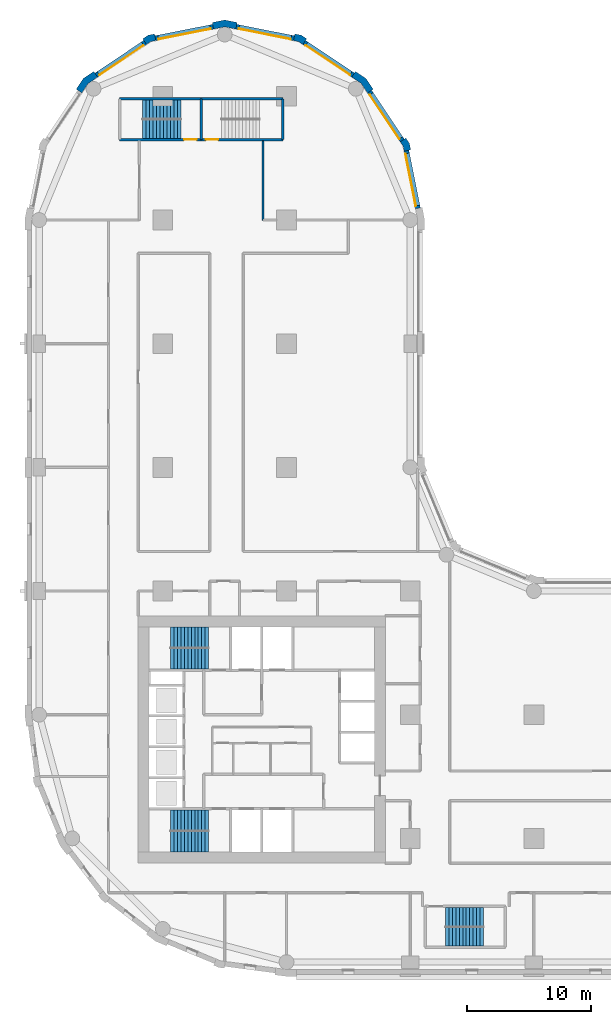
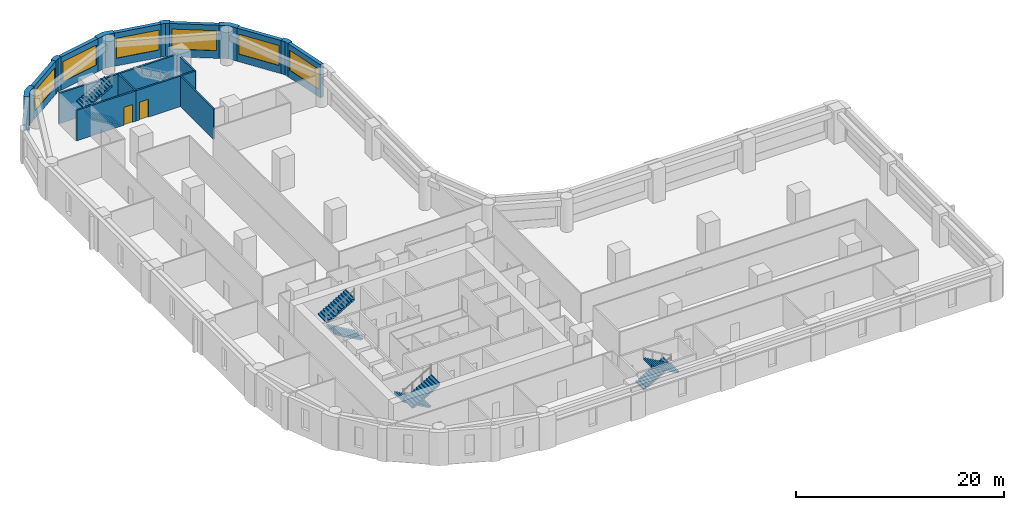
# One storey, part 7 of 10: 19 walls, 8 stair flights, 6 windows, 2 doors, 8 openings, 4 elements without a shape of their own.
"""IFC4 building model written with IfcOpenShell, lengths in metres."""

from ifc_helpers import new_model, si_unit, direction, frame, frame_2d, origin, place, context, subcontext, project, spatial, polyline, rectangle, outline, extrude, material, layer, layer_set, type_object, element, fill, aggregate, save


model = new_model("IFC4")

# Units and contexts
model_context = context("Model", 3, precision=1e-05, world=origin(), true_north=direction((0.0, 1.0)))
body_context = subcontext(model_context, "Body", "Model", "MODEL_VIEW")
ifc_project = project(units=[si_unit("LENGTHUNIT", "METRE"), si_unit("AREAUNIT", "SQUARE_METRE"), si_unit("VOLUMEUNIT", "CUBIC_METRE"), si_unit("PLANEANGLEUNIT", "RADIAN"), si_unit("MASSUNIT", "GRAM", prefix="KILO")], contexts=[model_context])

# Site, building, storey
site_placement = place(None, origin())
site = spatial("IfcSite", under=ifc_project, at=site_placement, CompositionType="ELEMENT")
building_placement = place(site_placement, origin())
building = spatial("IfcBuilding", under=site, at=building_placement, Name="Qaws Garden Tower", CompositionType="ELEMENT")
storey_placement = place(building_placement, frame((0.0, 0.0, 54.89990234375)))
storey = spatial("IfcBuildingStorey", under=building, at=storey_placement, Name="L13", CompositionType="ELEMENT", Elevation=54.89990234375)

# Wall, opening, window
ifc_material_1 = material(Name="Clay facing brick masonry", Category="masonry")
ifc_layer_1 = layer(ifc_material_1, 0.39990234375)
ifc_layer_set_1 = layer_set([ifc_layer_1], Name="Clay facing brick masonry")
wall_type_1 = type_object("IfcWallType", Name="Brick infill wall 400", PredefinedType="SOLIDWALL", material=ifc_layer_set_1)
wall_1_placement = place(storey_placement, frame((30.628662109375, 60.940673828125, 0.0), z_axis=(0.0, 0.0, 1.0), x_axis=(-0.195098533057, 0.98078364709, 0.0)))
wall_1 = element("IfcWall", 1, at=wall_1_placement, inside=storey, type_object=wall_type_1, Name="E-L13-infill-15", PredefinedType="SOLIDWALL", context=body_context, shape_type="SweptSolid", body=[
    extrude(rectangle(XDim=4.752685546875, YDim=0.39990234375, at=frame_2d((2.37646484375, 0.0))), origin(), (0.0, 0.0, 1.0), 3.900146484375),
])
opening_1_placement = place(wall_1_placement, frame((0.226318359375, 0.0, 0.89990234375)))
opening_1 = element("IfcOpeningElement", 2, at=opening_1_placement, cuts=wall_1, Name="Opening W06", PredefinedType="OPENING", context=body_context, shape_type="SweptSolid", body=[
    extrude(rectangle(XDim=4.300048828125, YDim=2.35009765625, at=frame_2d((2.14990234375, 1.175048828125))), frame((0.0, 0.2099609375, 0.0), z_axis=(0.0, -1.0, 0.0), x_axis=(1.0, 0.0, 0.0)), (0.0, 0.0, 1.0), 0.419921875),
])
ifc_material_2 = material(Name="Aluminium framed window, clear glazing", Category="aluminium")
window_type = type_object("IfcWindowType", Name="Ribbon window 4300 x 2350", PartitioningType="DOUBLE_PANEL_VERTICAL", PredefinedType="WINDOW", material=ifc_material_2)
window_1_placement = place(opening_1_placement, origin())
window_1 = element("IfcWindow", 3, at=window_1_placement, inside=storey, type_object=window_type, Name="E-L13-window-15-0", OverallHeight=2.35009765625, OverallWidth=4.300048828125, PartitioningType="SINGLE_PANEL", PredefinedType="WINDOW", context=body_context, shape_type="SweptSolid", body=[
    extrude(rectangle(XDim=4.300048828125, YDim=2.35009765625, at=frame_2d((2.14990234375, 1.175048828125))), frame((0.0, 0.159912109375, 0.0), z_axis=(0.0, -1.0, 0.0), x_axis=(1.0, 0.0, 0.0)), (0.0, 0.0, 1.0), 0.06005859375),
])
fill(opening_1, window_1)

wall_2_placement = place(storey_placement, frame((29.356689453125, 66.43408203125, 0.0), z_axis=(0.0, 0.0, 1.0), x_axis=(-0.555541552266, 0.831488775454, 0.0)))
wall_2 = element("IfcWall", 4, at=wall_2_placement, inside=storey, type_object=wall_type_1, Name="E-L13-infill-16", PredefinedType="SOLIDWALL", context=body_context, shape_type="SweptSolid", body=[
    extrude(rectangle(XDim=4.752685546875, YDim=0.39990234375, at=frame_2d((2.37646484375, 0.0))), origin(), (0.0, 0.0, 1.0), 3.900146484375),
])
opening_2_placement = place(wall_2_placement, frame((0.226318359375, 0.0, 0.89990234375)))
opening_2 = element("IfcOpeningElement", 5, at=opening_2_placement, cuts=wall_2, Name="Opening W06", PredefinedType="OPENING", context=body_context, shape_type="SweptSolid", body=[
    extrude(rectangle(XDim=4.300048828125, YDim=2.35009765625, at=frame_2d((2.14990234375, 1.175048828125))), frame((0.0, 0.2099609375, 0.0), z_axis=(0.0, -1.0, 0.0), x_axis=(1.0, 0.0, 0.0)), (0.0, 0.0, 1.0), 0.419921875),
])
window_2_placement = place(opening_2_placement, origin())
window_2 = element("IfcWindow", 6, at=window_2_placement, inside=storey, type_object=window_type, Name="E-L13-window-16-0", OverallHeight=2.35009765625, OverallWidth=4.300048828125, PartitioningType="SINGLE_PANEL", PredefinedType="WINDOW", context=body_context, shape_type="SweptSolid", body=[
    extrude(rectangle(XDim=4.300048828125, YDim=2.35009765625, at=frame_2d((2.14990234375, 1.175048828125))), frame((0.0, 0.159912109375, 0.0), z_axis=(0.0, -1.0, 0.0), x_axis=(1.0, 0.0, 0.0)), (0.0, 0.0, 1.0), 0.06005859375),
])
fill(opening_2, window_2)

wall_3_placement = place(storey_placement, frame((25.385986328125, 71.71630859375, 0.0), z_axis=(0.0, 0.0, 1.0), x_axis=(-0.831488775454, 0.555541552266, 0.0)))
wall_3 = element("IfcWall", 7, at=wall_3_placement, inside=storey, type_object=wall_type_1, Name="E-L13-infill-17", PredefinedType="SOLIDWALL", context=body_context, shape_type="SweptSolid", body=[
    extrude(rectangle(XDim=4.752685546875, YDim=0.39990234375, at=frame_2d((2.37646484375, 0.0))), origin(), (0.0, 0.0, 1.0), 3.900146484375),
])
opening_3_placement = place(wall_3_placement, frame((0.226318359375, 0.0, 0.89990234375)))
opening_3 = element("IfcOpeningElement", 8, at=opening_3_placement, cuts=wall_3, Name="Opening W06", PredefinedType="OPENING", context=body_context, shape_type="SweptSolid", body=[
    extrude(rectangle(XDim=4.300048828125, YDim=2.35009765625, at=frame_2d((2.14990234375, 1.175048828125))), frame((0.0, 0.2099609375, 0.0), z_axis=(0.0, -1.0, 0.0), x_axis=(1.0, 0.0, 0.0)), (0.0, 0.0, 1.0), 0.419921875),
])
window_3_placement = place(opening_3_placement, origin())
window_3 = element("IfcWindow", 9, at=window_3_placement, inside=storey, type_object=window_type, Name="E-L13-window-17-0", OverallHeight=2.35009765625, OverallWidth=4.300048828125, PartitioningType="SINGLE_PANEL", PredefinedType="WINDOW", context=body_context, shape_type="SweptSolid", body=[
    extrude(rectangle(XDim=4.300048828125, YDim=2.35009765625, at=frame_2d((2.14990234375, 1.175048828125))), frame((0.0, 0.159912109375, 0.0), z_axis=(0.0, -1.0, 0.0), x_axis=(1.0, 0.0, 0.0)), (0.0, 0.0, 1.0), 0.06005859375),
])
fill(opening_3, window_3)

wall_4_placement = place(storey_placement, frame((20.60205078125, 74.701416015625, 0.0), z_axis=(0.0, 0.0, 1.0), x_axis=(-0.98078364709, 0.195098533057, 0.0)))
wall_4 = element("IfcWall", 10, at=wall_4_placement, inside=storey, type_object=wall_type_1, Name="E-L13-infill-18", PredefinedType="SOLIDWALL", context=body_context, shape_type="SweptSolid", body=[
    extrude(rectangle(XDim=4.752685546875, YDim=0.39990234375, at=frame_2d((2.37646484375, 0.0))), origin(), (0.0, 0.0, 1.0), 3.900146484375),
])
opening_4_placement = place(wall_4_placement, frame((0.226318359375, 0.0, 0.89990234375)))
opening_4 = element("IfcOpeningElement", 11, at=opening_4_placement, cuts=wall_4, Name="Opening W06", PredefinedType="OPENING", context=body_context, shape_type="SweptSolid", body=[
    extrude(rectangle(XDim=4.300048828125, YDim=2.35009765625, at=frame_2d((2.14990234375, 1.175048828125))), frame((0.0, 0.2099609375, 0.0), z_axis=(0.0, -1.0, 0.0), x_axis=(1.0, 0.0, 0.0)), (0.0, 0.0, 1.0), 0.419921875),
])
window_4_placement = place(opening_4_placement, origin())
window_4 = element("IfcWindow", 12, at=window_4_placement, inside=storey, type_object=window_type, Name="E-L13-window-18-0", OverallHeight=2.35009765625, OverallWidth=4.300048828125, PartitioningType="SINGLE_PANEL", PredefinedType="WINDOW", context=body_context, shape_type="SweptSolid", body=[
    extrude(rectangle(XDim=4.300048828125, YDim=2.35009765625, at=frame_2d((2.14990234375, 1.175048828125))), frame((0.0, 0.159912109375, 0.0), z_axis=(0.0, -1.0, 0.0), x_axis=(1.0, 0.0, 0.0)), (0.0, 0.0, 1.0), 0.06005859375),
])
fill(opening_4, window_4)

wall_5_placement = place(storey_placement, frame((14.059326171875, 75.628662109375, 0.0), z_axis=(0.0, 0.0, 1.0), x_axis=(-0.98078364709, -0.195098533057, 0.0)))
wall_5 = element("IfcWall", 13, at=wall_5_placement, inside=storey, type_object=wall_type_1, Name="E-L13-infill-19", PredefinedType="SOLIDWALL", context=body_context, shape_type="SweptSolid", body=[
    extrude(rectangle(XDim=4.752685546875, YDim=0.39990234375, at=frame_2d((2.37646484375, 0.0))), origin(), (0.0, 0.0, 1.0), 3.900146484375),
])
opening_5_placement = place(wall_5_placement, frame((0.226318359375, 0.0, 0.89990234375)))
opening_5 = element("IfcOpeningElement", 14, at=opening_5_placement, cuts=wall_5, Name="Opening W06", PredefinedType="OPENING", context=body_context, shape_type="SweptSolid", body=[
    extrude(rectangle(XDim=4.300048828125, YDim=2.35009765625, at=frame_2d((2.14990234375, 1.175048828125))), frame((0.0, 0.2099609375, 0.0), z_axis=(0.0, -1.0, 0.0), x_axis=(1.0, 0.0, 0.0)), (0.0, 0.0, 1.0), 0.419921875),
])
window_5_placement = place(opening_5_placement, origin())
window_5 = element("IfcWindow", 15, at=window_5_placement, inside=storey, type_object=window_type, Name="E-L13-window-19-0", OverallHeight=2.35009765625, OverallWidth=4.300048828125, PartitioningType="SINGLE_PANEL", PredefinedType="WINDOW", context=body_context, shape_type="SweptSolid", body=[
    extrude(rectangle(XDim=4.300048828125, YDim=2.35009765625, at=frame_2d((2.14990234375, 1.175048828125))), frame((0.0, 0.159912109375, 0.0), z_axis=(0.0, -1.0, 0.0), x_axis=(1.0, 0.0, 0.0)), (0.0, 0.0, 1.0), 0.06005859375),
])
fill(opening_5, window_5)

wall_6_placement = place(storey_placement, frame((8.56591796875, 74.356689453125, 0.0), z_axis=(0.0, 0.0, 1.0), x_axis=(-0.831488775454, -0.555541552266, 0.0)))
wall_6 = element("IfcWall", 16, at=wall_6_placement, inside=storey, type_object=wall_type_1, Name="E-L13-infill-20", PredefinedType="SOLIDWALL", context=body_context, shape_type="SweptSolid", body=[
    extrude(rectangle(XDim=4.752685546875, YDim=0.39990234375, at=frame_2d((2.37646484375, 0.0))), origin(), (0.0, 0.0, 1.0), 3.900146484375),
])
opening_6_placement = place(wall_6_placement, frame((0.226318359375, 0.0, 0.89990234375)))
opening_6 = element("IfcOpeningElement", 17, at=opening_6_placement, cuts=wall_6, Name="Opening W06", PredefinedType="OPENING", context=body_context, shape_type="SweptSolid", body=[
    extrude(rectangle(XDim=4.300048828125, YDim=2.35009765625, at=frame_2d((2.14990234375, 1.175048828125))), frame((0.0, 0.2099609375, 0.0), z_axis=(0.0, -1.0, 0.0), x_axis=(1.0, 0.0, 0.0)), (0.0, 0.0, 1.0), 0.419921875),
])
window_6_placement = place(opening_6_placement, origin())
window_6 = element("IfcWindow", 18, at=window_6_placement, inside=storey, type_object=window_type, Name="E-L13-window-20-0", OverallHeight=2.35009765625, OverallWidth=4.300048828125, PartitioningType="SINGLE_PANEL", PredefinedType="WINDOW", context=body_context, shape_type="SweptSolid", body=[
    extrude(rectangle(XDim=4.300048828125, YDim=2.35009765625, at=frame_2d((2.14990234375, 1.175048828125))), frame((0.0, 0.159912109375, 0.0), z_axis=(0.0, -1.0, 0.0), x_axis=(1.0, 0.0, 0.0)), (0.0, 0.0, 1.0), 0.06005859375),
])
fill(opening_6, window_6)

# Walls
ifc_material_3 = material(Name="Clay facing brick masonry", Category="masonry")
ifc_layer_2 = layer(ifc_material_3, 0.550048828125)
ifc_layer_set_2 = layer_set([ifc_layer_2], Name="Clay facing brick masonry")
wall_type_2 = type_object("IfcWallType", Name="Brick kink pier 550 x 600", PredefinedType="SOLIDWALL", material=ifc_layer_set_2)
placement = place(storey_placement, origin())
element("IfcWall", 19, at=placement, inside=storey, type_object=wall_type_2, Name="E-L13-pier-16", PredefinedType="SOLIDWALL", context=body_context, shape_type="SweptSolid", body=[
    extrude(outline(polyline([(29.8974609375, 65.64111328125), (30.044677734375, 65.67041015625), (29.94140625, 66.18896484375), (29.647705078125, 66.628662109375), (29.52294921875, 66.545166015625), (29.1904296875, 66.322998046875), (29.42333984375, 65.974365234375), (29.505126953125, 65.56298828125), (29.8974609375, 65.64111328125)])), origin(), (0.0, 0.0, 1.0), 3.900146484375),
])
element("IfcWall", 20, at=placement, inside=storey, type_object=wall_type_2, Name="E-L13-pier-18", PredefinedType="SOLIDWALL", context=body_context, shape_type="SweptSolid", body=[
    extrude(outline(polyline([(21.545166015625, 74.52294921875), (21.628662109375, 74.647705078125), (21.18896484375, 74.94140625), (20.67041015625, 75.044677734375), (20.64111328125, 74.8974609375), (20.56298828125, 74.505126953125), (20.974365234375, 74.42333984375), (21.322998046875, 74.1904296875), (21.545166015625, 74.52294921875)])), origin(), (0.0, 0.0, 1.0), 3.900146484375),
])
element("IfcWall", 21, at=placement, inside=storey, type_object=wall_type_2, Name="E-L13-pier-20", PredefinedType="SOLIDWALL", context=body_context, shape_type="SweptSolid", body=[
    extrude(outline(polyline([(9.35888671875, 74.8974609375), (9.32958984375, 75.044677734375), (8.81103515625, 74.94140625), (8.371337890625, 74.647705078125), (8.454833984375, 74.52294921875), (8.677001953125, 74.1904296875), (9.025634765625, 74.42333984375), (9.43701171875, 74.505126953125), (9.35888671875, 74.8974609375)])), origin(), (0.0, 0.0, 1.0), 3.900146484375),
])
ifc_material_4 = material(Name="Clay facing brick masonry", Category="masonry")
ifc_layer_3 = layer(ifc_material_4, 0.550048828125)
ifc_layer_set_3 = layer_set([ifc_layer_3], Name="Clay facing brick masonry")
wall_type_3 = type_object("IfcWallType", Name="Brick pier 550 x 1600", PredefinedType="SOLIDWALL", material=ifc_layer_set_3)
element("IfcWall", 22, at=placement, inside=storey, type_object=wall_type_3, Name="E-L13-pier-17", PredefinedType="SOLIDWALL", context=body_context, shape_type="SweptSolid", body=[
    extrude(outline(polyline([(26.882568359375, 70.4970703125), (27.00732421875, 70.580322265625), (26.435791015625, 71.435791015625), (25.580322265625, 72.00732421875), (25.4970703125, 71.882568359375), (25.274658203125, 71.550048828125), (26.0390625, 71.0390625), (26.550048828125, 70.274658203125), (26.882568359375, 70.4970703125)])), origin(), (0.0, 0.0, 1.0), 3.900146484375),
])
element("IfcWall", 23, at=placement, inside=storey, type_object=wall_type_3, Name="E-L13-pier-19", PredefinedType="SOLIDWALL", context=body_context, shape_type="SweptSolid", body=[
    extrude(outline(polyline([(15.979736328125, 75.82470703125), (16.009033203125, 75.971923828125), (15.0, 76.172607421875), (13.990966796875, 75.971923828125), (14.020263671875, 75.82470703125), (14.098388671875, 75.432373046875), (15.0, 75.61181640625), (15.901611328125, 75.432373046875), (15.979736328125, 75.82470703125)])), origin(), (0.0, 0.0, 1.0), 3.900146484375),
])
element("IfcWall", 24, at=placement, inside=storey, type_object=wall_type_3, Name="E-L13-pier-21", PredefinedType="SOLIDWALL", context=body_context, shape_type="SweptSolid", body=[
    extrude(outline(polyline([(4.5029296875, 71.882568359375), (4.419677734375, 72.00732421875), (3.564208984375, 71.435791015625), (2.99267578125, 70.580322265625), (3.117431640625, 70.4970703125), (3.449951171875, 70.274658203125), (3.9609375, 71.0390625), (4.725341796875, 71.550048828125), (4.5029296875, 71.882568359375)])), origin(), (0.0, 0.0, 1.0), 3.900146484375),
])

# Wall, opening, door
ifc_material_5 = material(Name="Concrete C80", Category="concrete")
ifc_layer_4 = layer(ifc_material_5, 0.199951171875)
ifc_layer_set_4 = layer_set([ifc_layer_4], Name="Concrete C80")
wall_type_4 = type_object("IfcWallType", Name="Core shaft wall 200 C80", PredefinedType="SHEAR", material=ifc_layer_set_4)
wall_13_placement = place(storey_placement, frame((6.5, 66.5, 0.0), z_axis=(0.0, 0.0, 1.0), x_axis=(1.0, 0.0, 0.0)))
wall_13 = element("IfcWall", 25, at=wall_13_placement, inside=storey, type_object=wall_type_4, Name="Shaft wall", PredefinedType="SHEAR", context=body_context, shape_type="SweptSolid", body=[
    extrude(rectangle(XDim=6.60009765625, YDim=0.199951171875, at=frame_2d((3.300048828125, 0.0))), origin(), (0.0, 0.0, 1.0), 3.580078125),
])
opening_7_placement = place(wall_13_placement, frame((5.22509765625, 0.0, 0.0)))
opening_7 = element("IfcOpeningElement", 26, at=opening_7_placement, cuts=wall_13, Name="Opening SD13", PredefinedType="OPENING", context=body_context, shape_type="SweptSolid", body=[
    extrude(rectangle(XDim=1.0, YDim=2.10009765625, at=frame_2d((0.5, 1.050048828125))), frame((0.0, 0.10986328125, 0.0), z_axis=(0.0, -1.0, 0.0), x_axis=(1.0, 0.0, 0.0)), (0.0, 0.0, 1.0), 0.219970703125),
])
ifc_material_6 = material(Name="Steel S235", Category="steel")
door_type = type_object("IfcDoorType", Name="Stair door 1000x2100", OperationType="SINGLE_SWING_RIGHT", PredefinedType="DOOR", material=ifc_material_6)
door_1_placement = place(opening_7_placement, origin())
door_1 = element("IfcDoor", 27, at=door_1_placement, inside=storey, type_object=door_type, Name="Stair 6 door", OperationType="SINGLE_SWING_RIGHT", OverallHeight=2.10009765625, OverallWidth=1.0, PredefinedType="DOOR", context=body_context, shape_type="SweptSolid", body=[
    extrude(rectangle(XDim=1.0, YDim=2.10009765625, at=frame_2d((0.5, 1.050048828125))), frame((0.0, 0.02490234375, 0.0), z_axis=(0.0, -1.0, 0.0), x_axis=(1.0, 0.0, 0.0)), (0.0, 0.0, 1.0), 0.050048828125),
])
fill(opening_7, door_1)

wall_14_placement = place(storey_placement, frame((13.10009765625, 66.5, 0.0), z_axis=(0.0, 0.0, 1.0), x_axis=(1.0, 0.0, 0.0)))
wall_14 = element("IfcWall", 28, at=wall_14_placement, inside=storey, type_object=wall_type_4, Name="Shaft wall", PredefinedType="SHEAR", context=body_context, shape_type="SweptSolid", body=[
    extrude(rectangle(XDim=6.599853515625, YDim=0.199951171875, at=frame_2d((3.2998046875, 0.0))), origin(), (0.0, 0.0, 1.0), 3.580078125),
])
opening_8_placement = place(wall_14_placement, frame((0.375, 0.0, 0.0)))
opening_8 = element("IfcOpeningElement", 29, at=opening_8_placement, cuts=wall_14, Name="Opening SD14", PredefinedType="OPENING", context=body_context, shape_type="SweptSolid", body=[
    extrude(rectangle(XDim=1.0, YDim=2.10009765625, at=frame_2d((0.5, 1.050048828125))), frame((0.0, 0.10986328125, 0.0), z_axis=(0.0, -1.0, 0.0), x_axis=(1.0, 0.0, 0.0)), (0.0, 0.0, 1.0), 0.219970703125),
])
door_2_placement = place(opening_8_placement, origin())
door_2 = element("IfcDoor", 30, at=door_2_placement, inside=storey, type_object=door_type, Name="Stair 7 door", OperationType="SINGLE_SWING_LEFT", OverallHeight=2.10009765625, OverallWidth=1.0, PredefinedType="DOOR", context=body_context, shape_type="SweptSolid", body=[
    extrude(rectangle(XDim=1.0, YDim=2.10009765625, at=frame_2d((0.5, 1.050048828125))), frame((0.0, 0.02490234375, 0.0), z_axis=(0.0, -1.0, 0.0), x_axis=(1.0, 0.0, 0.0)), (0.0, 0.0, 1.0), 0.050048828125),
])
fill(opening_8, door_2)

# Walls
wall_15_placement = place(storey_placement, frame((6.5, 69.800048828125, 0.0), z_axis=(0.0, 0.0, 1.0), x_axis=(1.0, 0.0, 0.0)))
element("IfcWall", 31, at=wall_15_placement, inside=storey, type_object=wall_type_4, Name="Shaft wall", PredefinedType="SHEAR", context=body_context, shape_type="SweptSolid", body=[
    extrude(rectangle(XDim=6.60009765625, YDim=0.199951171875, at=frame_2d((3.300048828125, 0.0))), origin(), (0.0, 0.0, 1.0), 3.580078125),
])
wall_16_placement = place(storey_placement, frame((13.10009765625, 69.800048828125, 0.0), z_axis=(0.0, 0.0, 1.0), x_axis=(1.0, 0.0, 0.0)))
element("IfcWall", 32, at=wall_16_placement, inside=storey, type_object=wall_type_4, Name="Shaft wall", PredefinedType="SHEAR", context=body_context, shape_type="SweptSolid", body=[
    extrude(rectangle(XDim=6.599853515625, YDim=0.199951171875, at=frame_2d((3.2998046875, 0.0))), origin(), (0.0, 0.0, 1.0), 3.580078125),
])
for number, where, z_axis, x_axis, name in (
    (33, (13.10009765625, 66.5, 0.0), (0.0, 0.0, 1.0), (0.0, 1.0, 0.0), "Shaft wall"),
    (34, (19.699951171875, 66.5, 0.0), (0.0, 0.0, 1.0), (0.0, 1.0, 0.0), "Shaft wall"),
):
    element("IfcWall", number, at=place(storey_placement, frame(where, z_axis=z_axis, x_axis=x_axis)), inside=storey, type_object=wall_type_4, Name=name, PredefinedType="SHEAR", context=body_context, shape_type="SweptSolid", body=[
        extrude(rectangle(XDim=3.300048828125, YDim=0.199951171875, at=frame_2d((1.64990234375, 0.0))), origin(), (0.0, 0.0, 1.0), 3.580078125),
    ])
ifc_material_7 = material(Name="Gypsum board partition")
ifc_layer_5 = layer(ifc_material_7, 0.14990234375)
ifc_layer_set_5 = layer_set([ifc_layer_5], Name="Gypsum board partition")
wall_type_5 = type_object("IfcWallType", Name="PARTITION 150 EI 60", PredefinedType="PARTITIONING", material=ifc_layer_set_5)
wall_17_placement = place(storey_placement, frame((18.10009765625, 60.0, 0.0), z_axis=(0.0, 0.0, 1.0), x_axis=(0.0, 1.0, 0.0)))
element("IfcWall", 35, at=wall_17_placement, inside=storey, type_object=wall_type_5, Name="O-L13-wall-010", PredefinedType="PARTITIONING", context=body_context, shape_type="SweptSolid", body=[
    extrude(rectangle(XDim=6.39990234375, YDim=0.14990234375, at=frame_2d((3.199951171875, 0.0))), origin(), (0.0, 0.0, 1.0), 3.580078125),
])

# Stair, stair flights
ifc_material_8 = material(Name="Concrete C40", Category="concrete")
stair_type_1 = type_object("IfcStairType", Name="Exit stair 1350", PredefinedType="HALF_TURN_STAIR", material=ifc_material_8)
stair_1 = element("IfcStair", 36, at=placement, inside=storey, type_object=stair_type_1, Name="Stair 5", PredefinedType="HALF_TURN_STAIR")
ifc_material_9 = material(Name="Concrete C40", Category="concrete")
stair_flight_type_1 = type_object("IfcStairFlightType", Name="Stair flight 1350", PredefinedType="STRAIGHT", material=ifc_material_9)
stair_flight_1_placement = place(storey_placement, frame((32.85009765625, 3.625, 0.0), z_axis=(0.0, 0.0, 1.0), x_axis=(1.0, 0.0, 0.0)))
stair_flight_1 = element("IfcStairFlight", 37, at=stair_flight_1_placement, type_object=stair_flight_type_1, Name="ST5 flight 1", NumberOfRisers=12, NumberOfTreads=11, PredefinedType="STRAIGHT", RiserHeight=0.1625, TreadLength=0.28, context=body_context, shape_type="SweptSolid", body=[
    extrude(outline(polyline([(-0.0029296875, 0.0), (-0.0029296875, 0.16259765625), (0.0, 0.16259765625), (0.280029296875, 0.16259765625), (0.280029296875, 0.324951171875), (0.56005859375, 0.324951171875), (0.56005859375, 0.487548828125), (0.840087890625, 0.487548828125), (0.840087890625, 0.64990234375), (1.1201171875, 0.64990234375), (1.1201171875, 0.8125), (1.39990234375, 0.8125), (1.39990234375, 0.97509765625), (1.679931640625, 0.97509765625), (1.679931640625, 1.137451171875), (1.9599609375, 1.137451171875), (1.9599609375, 1.300048828125), (2.239990234375, 1.300048828125), (2.239990234375, 1.46240234375), (2.52001953125, 1.46240234375), (2.52001953125, 1.625), (2.800048828125, 1.625), (2.800048828125, 1.78759765625), (3.080078125, 1.78759765625), (3.080078125, 1.949951171875), (3.0830078125, 1.949951171875), (3.0830078125, 1.6142578125), (3.080078125, 1.6142578125), (0.298583984375, 0.0), (-0.0029296875, 0.0)])), frame((0.0, 0.77490234375, 0.0), z_axis=(0.0, -1.0, 0.0), x_axis=(1.0, 0.0, 0.0)), (0.0, 0.0, 1.0), 1.550048828125),
])
stair_flight_2_placement = place(storey_placement, frame((35.929931640625, 2.074951171875, 1.9501953125), z_axis=(0.0, 0.0, 1.0), x_axis=(-1.0, 0.0, 0.0)))
stair_flight_2 = element("IfcStairFlight", 38, at=stair_flight_2_placement, type_object=stair_flight_type_1, Name="ST5 flight 2", NumberOfRisers=12, NumberOfTreads=11, PredefinedType="STRAIGHT", RiserHeight=0.1625, TreadLength=0.28, context=body_context, shape_type="SweptSolid", body=[
    extrude(outline(polyline([(-0.0029296875, 0.0), (-0.0029296875, 0.16259765625), (0.0, 0.16259765625), (0.280029296875, 0.16259765625), (0.280029296875, 0.324951171875), (0.56005859375, 0.324951171875), (0.56005859375, 0.487548828125), (0.840087890625, 0.487548828125), (0.840087890625, 0.64990234375), (1.1201171875, 0.64990234375), (1.1201171875, 0.8125), (1.39990234375, 0.8125), (1.39990234375, 0.97509765625), (1.679931640625, 0.97509765625), (1.679931640625, 1.137451171875), (1.9599609375, 1.137451171875), (1.9599609375, 1.300048828125), (2.239990234375, 1.300048828125), (2.239990234375, 1.46240234375), (2.52001953125, 1.46240234375), (2.52001953125, 1.625), (2.800048828125, 1.625), (2.800048828125, 1.78759765625), (3.080078125, 1.78759765625), (3.080078125, 1.949951171875), (3.0830078125, 1.949951171875), (3.0830078125, 1.6142578125), (3.080078125, 1.6142578125), (0.298583984375, 0.0), (-0.0029296875, 0.0)])), frame((0.0, 0.77490234375, 0.0), z_axis=(0.0, -1.0, 0.0), x_axis=(1.0, 0.0, 0.0)), (0.0, 0.0, 1.0), 1.550048828125),
])
aggregate(stair_1, [stair_flight_1, stair_flight_2])

stair_2 = element("IfcStair", 39, at=placement, inside=storey, type_object=stair_type_1, Name="Stair 6", PredefinedType="HALF_TURN_STAIR")
stair_flight_3_placement = place(storey_placement, frame((11.449951171875, 67.375, 0.0), z_axis=(0.0, 0.0, 1.0), x_axis=(-1.0, 0.0, 0.0)))
stair_flight_3 = element("IfcStairFlight", 40, at=stair_flight_3_placement, type_object=stair_flight_type_1, Name="ST6 flight 1", NumberOfRisers=12, NumberOfTreads=11, PredefinedType="STRAIGHT", RiserHeight=0.1625, TreadLength=0.28, context=body_context, shape_type="SweptSolid", body=[
    extrude(outline(polyline([(-0.0029296875, 0.0), (-0.0029296875, 0.16259765625), (0.0, 0.16259765625), (0.280029296875, 0.16259765625), (0.280029296875, 0.324951171875), (0.56005859375, 0.324951171875), (0.56005859375, 0.487548828125), (0.840087890625, 0.487548828125), (0.840087890625, 0.64990234375), (1.1201171875, 0.64990234375), (1.1201171875, 0.8125), (1.39990234375, 0.8125), (1.39990234375, 0.97509765625), (1.679931640625, 0.97509765625), (1.679931640625, 1.137451171875), (1.9599609375, 1.137451171875), (1.9599609375, 1.300048828125), (2.239990234375, 1.300048828125), (2.239990234375, 1.46240234375), (2.52001953125, 1.46240234375), (2.52001953125, 1.625), (2.800048828125, 1.625), (2.800048828125, 1.78759765625), (3.080078125, 1.78759765625), (3.080078125, 1.949951171875), (3.0830078125, 1.949951171875), (3.0830078125, 1.6142578125), (3.080078125, 1.6142578125), (0.298583984375, 0.0), (-0.0029296875, 0.0)])), frame((0.0, 0.77490234375, 0.0), z_axis=(0.0, -1.0, 0.0), x_axis=(1.0, 0.0, 0.0)), (0.0, 0.0, 1.0), 1.550048828125),
])
stair_flight_4_placement = place(storey_placement, frame((8.3701171875, 68.925048828125, 1.9501953125), z_axis=(0.0, 0.0, 1.0), x_axis=(1.0, 0.0, 0.0)))
stair_flight_4 = element("IfcStairFlight", 41, at=stair_flight_4_placement, type_object=stair_flight_type_1, Name="ST6 flight 2", NumberOfRisers=12, NumberOfTreads=11, PredefinedType="STRAIGHT", RiserHeight=0.1625, TreadLength=0.28, context=body_context, shape_type="SweptSolid", body=[
    extrude(outline(polyline([(-0.0029296875, 0.0), (-0.0029296875, 0.16259765625), (0.0, 0.16259765625), (0.280029296875, 0.16259765625), (0.280029296875, 0.324951171875), (0.56005859375, 0.324951171875), (0.56005859375, 0.487548828125), (0.840087890625, 0.487548828125), (0.840087890625, 0.64990234375), (1.1201171875, 0.64990234375), (1.1201171875, 0.8125), (1.39990234375, 0.8125), (1.39990234375, 0.97509765625), (1.679931640625, 0.97509765625), (1.679931640625, 1.137451171875), (1.9599609375, 1.137451171875), (1.9599609375, 1.300048828125), (2.239990234375, 1.300048828125), (2.239990234375, 1.46240234375), (2.52001953125, 1.46240234375), (2.52001953125, 1.625), (2.800048828125, 1.625), (2.800048828125, 1.78759765625), (3.080078125, 1.78759765625), (3.080078125, 1.949951171875), (3.0830078125, 1.949951171875), (3.0830078125, 1.6142578125), (3.080078125, 1.6142578125), (0.298583984375, 0.0), (-0.0029296875, 0.0)])), frame((0.0, 0.77490234375, 0.0), z_axis=(0.0, -1.0, 0.0), x_axis=(1.0, 0.0, 0.0)), (0.0, 0.0, 1.0), 1.550048828125),
])
aggregate(stair_2, [stair_flight_3, stair_flight_4])

ifc_material_10 = material(Name="Concrete C40", Category="concrete")
stair_type_2 = type_object("IfcStairType", Name="Exit stair 1500", PredefinedType="HALF_TURN_STAIR", material=ifc_material_10)
stair_3 = element("IfcStair", 42, at=placement, inside=storey, type_object=stair_type_2, Name="Stair 1", PredefinedType="HALF_TURN_STAIR")
ifc_material_11 = material(Name="Concrete C40", Category="concrete")
stair_flight_type_2 = type_object("IfcStairFlightType", Name="Stair flight 1500", PredefinedType="STRAIGHT", material=ifc_material_11)
stair_flight_5_placement = place(storey_placement, frame((13.699951171875, 11.449951171875, 0.0), z_axis=(0.0, 0.0, 1.0), x_axis=(-1.0, 0.0, 0.0)))
stair_flight_5 = element("IfcStairFlight", 43, at=stair_flight_5_placement, type_object=stair_flight_type_2, Name="ST1 flight 1", NumberOfRisers=12, NumberOfTreads=11, PredefinedType="STRAIGHT", RiserHeight=0.1625, TreadLength=0.28, context=body_context, shape_type="SweptSolid", body=[
    extrude(outline(polyline([(-0.0029296875, 0.0), (-0.0029296875, 0.16259765625), (0.0, 0.16259765625), (0.280029296875, 0.16259765625), (0.280029296875, 0.324951171875), (0.56005859375, 0.324951171875), (0.56005859375, 0.487548828125), (0.840087890625, 0.487548828125), (0.840087890625, 0.64990234375), (1.1201171875, 0.64990234375), (1.1201171875, 0.8125), (1.39990234375, 0.8125), (1.39990234375, 0.97509765625), (1.679931640625, 0.97509765625), (1.679931640625, 1.137451171875), (1.9599609375, 1.137451171875), (1.9599609375, 1.300048828125), (2.239990234375, 1.300048828125), (2.239990234375, 1.46240234375), (2.52001953125, 1.46240234375), (2.52001953125, 1.625), (2.800048828125, 1.625), (2.800048828125, 1.78759765625), (3.080078125, 1.78759765625), (3.080078125, 1.949951171875), (3.0830078125, 1.949951171875), (3.0830078125, 1.6142578125), (3.080078125, 1.6142578125), (0.298583984375, 0.0), (-0.0029296875, 0.0)])), frame((0.0, 0.85009765625, 0.0), z_axis=(0.0, -1.0, 0.0), x_axis=(1.0, 0.0, 0.0)), (0.0, 0.0, 1.0), 1.699951171875),
])
stair_flight_6_placement = place(storey_placement, frame((10.6201171875, 9.75, 1.9501953125), z_axis=(0.0, 0.0, 1.0), x_axis=(1.0, 0.0, 0.0)))
stair_flight_6 = element("IfcStairFlight", 44, at=stair_flight_6_placement, type_object=stair_flight_type_2, Name="ST1 flight 2", NumberOfRisers=12, NumberOfTreads=11, PredefinedType="STRAIGHT", RiserHeight=0.1625, TreadLength=0.28, context=body_context, shape_type="SweptSolid", body=[
    extrude(outline(polyline([(-0.0029296875, 0.0), (-0.0029296875, 0.16259765625), (0.0, 0.16259765625), (0.280029296875, 0.16259765625), (0.280029296875, 0.324951171875), (0.56005859375, 0.324951171875), (0.56005859375, 0.487548828125), (0.840087890625, 0.487548828125), (0.840087890625, 0.64990234375), (1.1201171875, 0.64990234375), (1.1201171875, 0.8125), (1.39990234375, 0.8125), (1.39990234375, 0.97509765625), (1.679931640625, 0.97509765625), (1.679931640625, 1.137451171875), (1.9599609375, 1.137451171875), (1.9599609375, 1.300048828125), (2.239990234375, 1.300048828125), (2.239990234375, 1.46240234375), (2.52001953125, 1.46240234375), (2.52001953125, 1.625), (2.800048828125, 1.625), (2.800048828125, 1.78759765625), (3.080078125, 1.78759765625), (3.080078125, 1.949951171875), (3.0830078125, 1.949951171875), (3.0830078125, 1.6142578125), (3.080078125, 1.6142578125), (0.298583984375, 0.0), (-0.0029296875, 0.0)])), frame((0.0, 0.85009765625, 0.0), z_axis=(0.0, -1.0, 0.0), x_axis=(1.0, 0.0, 0.0)), (0.0, 0.0, 1.0), 1.699951171875),
])
aggregate(stair_3, [stair_flight_5, stair_flight_6])

stair_4 = element("IfcStair", 45, at=placement, inside=storey, type_object=stair_type_2, Name="Stair 4", PredefinedType="HALF_TURN_STAIR")
stair_flight_7_placement = place(storey_placement, frame((13.699951171875, 24.550048828125, 0.0), z_axis=(0.0, 0.0, 1.0), x_axis=(-1.0, 0.0, 0.0)))
stair_flight_7 = element("IfcStairFlight", 46, at=stair_flight_7_placement, type_object=stair_flight_type_2, Name="ST4 flight 1", NumberOfRisers=12, NumberOfTreads=11, PredefinedType="STRAIGHT", RiserHeight=0.1625, TreadLength=0.28, context=body_context, shape_type="SweptSolid", body=[
    extrude(outline(polyline([(-0.0029296875, 0.0), (-0.0029296875, 0.16259765625), (0.0, 0.16259765625), (0.280029296875, 0.16259765625), (0.280029296875, 0.324951171875), (0.56005859375, 0.324951171875), (0.56005859375, 0.487548828125), (0.840087890625, 0.487548828125), (0.840087890625, 0.64990234375), (1.1201171875, 0.64990234375), (1.1201171875, 0.8125), (1.39990234375, 0.8125), (1.39990234375, 0.97509765625), (1.679931640625, 0.97509765625), (1.679931640625, 1.137451171875), (1.9599609375, 1.137451171875), (1.9599609375, 1.300048828125), (2.239990234375, 1.300048828125), (2.239990234375, 1.46240234375), (2.52001953125, 1.46240234375), (2.52001953125, 1.625), (2.800048828125, 1.625), (2.800048828125, 1.78759765625), (3.080078125, 1.78759765625), (3.080078125, 1.949951171875), (3.0830078125, 1.949951171875), (3.0830078125, 1.6142578125), (3.080078125, 1.6142578125), (0.298583984375, 0.0), (-0.0029296875, 0.0)])), frame((0.0, 0.844970703125, 0.0), z_axis=(0.0, -1.0, 0.0), x_axis=(1.0, 0.0, 0.0)), (0.0, 0.0, 1.0), 1.68994140625),
])
stair_flight_8_placement = place(storey_placement, frame((10.6201171875, 26.25, 1.9501953125), z_axis=(0.0, 0.0, 1.0), x_axis=(1.0, 0.0, 0.0)))
stair_flight_8 = element("IfcStairFlight", 47, at=stair_flight_8_placement, type_object=stair_flight_type_2, Name="ST4 flight 2", NumberOfRisers=12, NumberOfTreads=11, PredefinedType="STRAIGHT", RiserHeight=0.1625, TreadLength=0.28, context=body_context, shape_type="SweptSolid", body=[
    extrude(outline(polyline([(-0.0029296875, 0.0), (-0.0029296875, 0.16259765625), (0.0, 0.16259765625), (0.280029296875, 0.16259765625), (0.280029296875, 0.324951171875), (0.56005859375, 0.324951171875), (0.56005859375, 0.487548828125), (0.840087890625, 0.487548828125), (0.840087890625, 0.64990234375), (1.1201171875, 0.64990234375), (1.1201171875, 0.8125), (1.39990234375, 0.8125), (1.39990234375, 0.97509765625), (1.679931640625, 0.97509765625), (1.679931640625, 1.137451171875), (1.9599609375, 1.137451171875), (1.9599609375, 1.300048828125), (2.239990234375, 1.300048828125), (2.239990234375, 1.46240234375), (2.52001953125, 1.46240234375), (2.52001953125, 1.625), (2.800048828125, 1.625), (2.800048828125, 1.78759765625), (3.080078125, 1.78759765625), (3.080078125, 1.949951171875), (3.0830078125, 1.949951171875), (3.0830078125, 1.6142578125), (3.080078125, 1.6142578125), (0.298583984375, 0.0), (-0.0029296875, 0.0)])), frame((0.0, 0.844970703125, 0.0), z_axis=(0.0, -1.0, 0.0), x_axis=(1.0, 0.0, 0.0)), (0.0, 0.0, 1.0), 1.68994140625),
])
aggregate(stair_4, [stair_flight_7, stair_flight_8])

save(model, "model.ifc")
